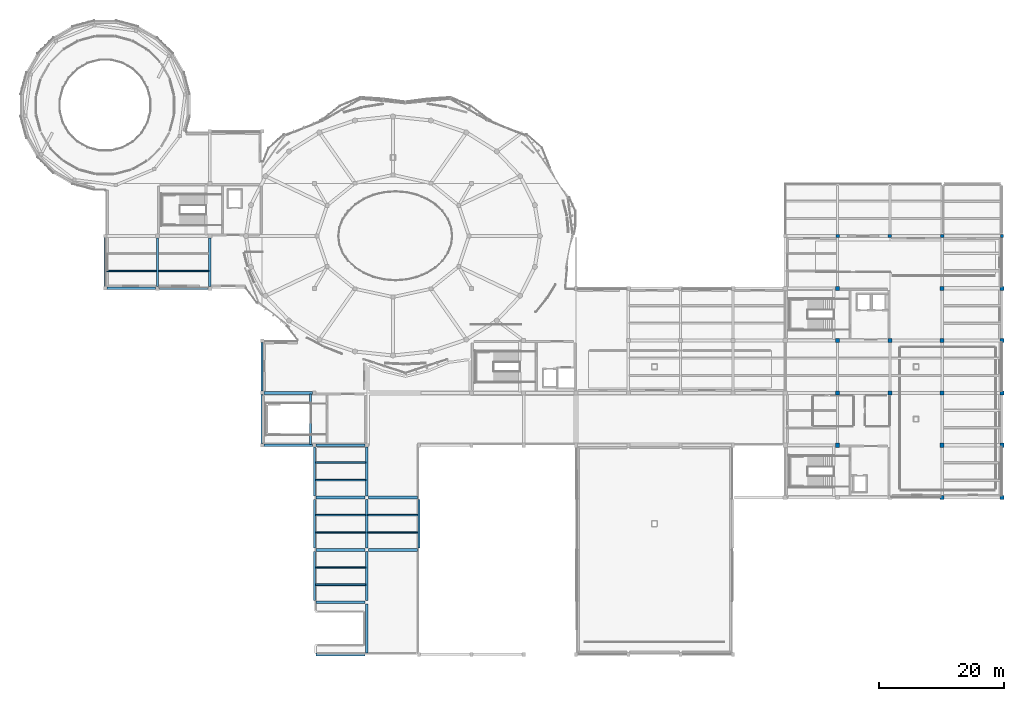
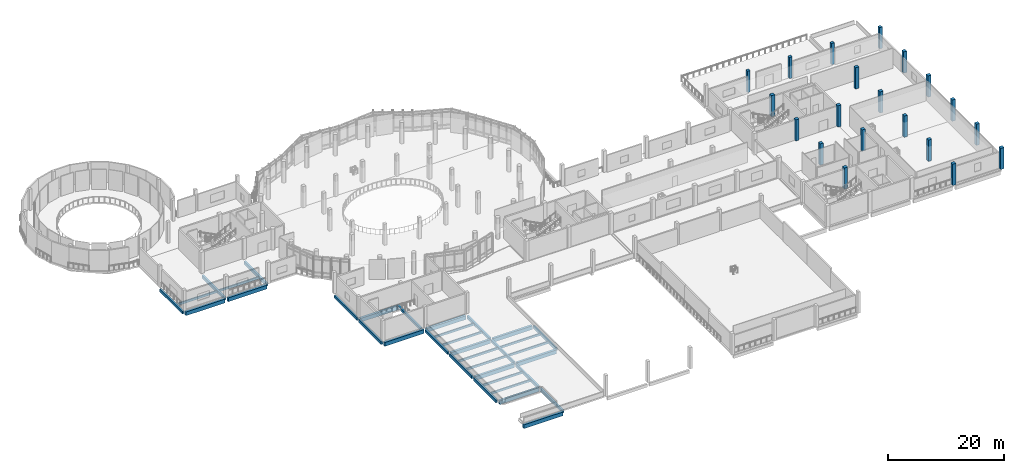
# One storey, part 2 of 46: 35 beams, 20 columns.
"""IFC4 building model written with IfcOpenShell, lengths in metres."""

from ifc_helpers import new_model, si_unit, derived_unit, direction, frame, origin, origin_2d, place, context, subcontext, project, spatial, rectangle, extrude, material, material_profile, profile_set, type_object, element, save


model = new_model("IFC4")

# Units and contexts
model_context = context("Model", 3, precision=1e-05, world=origin(), true_north=direction((0.0, 1.0)))
body_context = subcontext(model_context, "Body", "Model", "MODEL_VIEW")
ifc_project = project(units=[si_unit("LENGTHUNIT", "METRE"), si_unit("AREAUNIT", "SQUARE_METRE"), si_unit("VOLUMEUNIT", "CUBIC_METRE"), si_unit("PLANEANGLEUNIT", "RADIAN"), si_unit("MASSUNIT", "GRAM", prefix="KILO"), derived_unit("THERMALTRANSMITTANCEUNIT", [(si_unit("POWERUNIT", "WATT"), 1), (si_unit("LENGTHUNIT", "METRE"), -2), (si_unit("THERMODYNAMICTEMPERATUREUNIT", "KELVIN"), -1)])], contexts=[model_context])

# Site, building, storey
site_placement = place(None, origin())
site = spatial("IfcSite", under=ifc_project, at=site_placement, CompositionType="ELEMENT")
building_placement = place(site_placement, origin())
building = spatial("IfcBuilding", under=site, at=building_placement, Name="Elbkamm Science Centre", CompositionType="ELEMENT")
storey_placement = place(building_placement, frame((0.0, 0.0, 9.89990234375)))
storey = spatial("IfcBuildingStorey", under=building, at=storey_placement, Name="L02", CompositionType="ELEMENT", Elevation=9.89990234375)

# Columns
ifc_material = material(Name="Concrete C40/50", Category="concrete")
ifc_material_profile_1 = material_profile(ifc_material, rectangle(XDim=0.550048828125, YDim=0.550048828125, at=origin_2d()), Name="RC 550x550")
ifc_profile_set_1 = profile_set([ifc_material_profile_1], Name="Concrete C40/50")
column_type_1 = type_object("IfcColumnType", Name="COL-RC-550", PredefinedType="COLUMN", material=ifc_profile_set_1)
for number, where, z_axis, x_axis, name in (
    (1, (134.39990234375, 67.199951171875, 0.0), (0.0, 0.0, 1.0), (1.0, 0.0, 0.0), "L02 Column GRID-17-J"),
    (2, (142.800048828125, 67.199951171875, 0.0), (0.0, 0.0, 1.0), (1.0, 0.0, 0.0), "L02 Column GRID-18-J"),
    (3, (151.199951171875, 67.199951171875, 0.0), (0.0, 0.0, 1.0), (1.0, 0.0, 0.0), "L02 Column GRID-19-J"),
    (4, (160.800048828125, 67.199951171875, 0.0), (0.0, 0.0, 1.0), (1.0, 0.0, 0.0), "L02 Column GRID-20-J"),
):
    element("IfcColumn", number, at=place(storey_placement, frame(where, z_axis=z_axis, x_axis=x_axis)), inside=storey, type_object=column_type_1, Name=name, PredefinedType="COLUMN", context=body_context, shape_type="SweptSolid", body=[
        extrude(rectangle(XDim=0.550048828125, YDim=0.550048828125, at=origin_2d()), origin(), (0.0, 0.0, 1.0), 4.5),
    ])
ifc_material_profile_2 = material_profile(ifc_material, rectangle(XDim=0.64990234375, YDim=0.64990234375, at=origin_2d()), Name="RC 650x650")
ifc_profile_set_2 = profile_set([ifc_material_profile_2], Name="Concrete C40/50")
column_type_2 = type_object("IfcColumnType", Name="COL-RC-650", PredefinedType="COLUMN", material=ifc_profile_set_2)
for number, where, z_axis, x_axis, name in (
    (5, (134.39990234375, 33.60009765625, 0.0), (0.0, 0.0, 1.0), (1.0, 0.0, 0.0), "L02 Column GRID-17-E"),
    (6, (134.39990234375, 42.0, 0.0), (0.0, 0.0, 1.0), (1.0, 0.0, 0.0), "L02 Column GRID-17-F"),
    (7, (134.39990234375, 50.39990234375, 0.0), (0.0, 0.0, 1.0), (1.0, 0.0, 0.0), "L02 Column GRID-17-G"),
    (8, (134.39990234375, 58.800048828125, 0.0), (0.0, 0.0, 1.0), (1.0, 0.0, 0.0), "L02 Column GRID-17-H"),
    (9, (142.800048828125, 42.0, 0.0), (0.0, 0.0, 1.0), (1.0, 0.0, 0.0), "L02 Column GRID-18-F"),
    (10, (142.800048828125, 50.39990234375, 0.0), (0.0, 0.0, 1.0), (1.0, 0.0, 0.0), "L02 Column GRID-18-G"),
    (11, (151.199951171875, 25.199951171875, 0.0), (0.0, 0.0, 1.0), (1.0, 0.0, 0.0), "L02 Column GRID-19-D"),
    (12, (151.199951171875, 33.60009765625, 0.0), (0.0, 0.0, 1.0), (1.0, 0.0, 0.0), "L02 Column GRID-19-E"),
    (13, (151.199951171875, 42.0, 0.0), (0.0, 0.0, 1.0), (1.0, 0.0, 0.0), "L02 Column GRID-19-F"),
    (14, (151.199951171875, 50.39990234375, 0.0), (0.0, 0.0, 1.0), (1.0, 0.0, 0.0), "L02 Column GRID-19-G"),
    (15, (151.199951171875, 58.800048828125, 0.0), (0.0, 0.0, 1.0), (1.0, 0.0, 0.0), "L02 Column GRID-19-H"),
    (16, (160.800048828125, 25.199951171875, 0.0), (0.0, 0.0, 1.0), (1.0, 0.0, 0.0), "L02 Column GRID-20-D"),
    (17, (160.800048828125, 33.60009765625, 0.0), (0.0, 0.0, 1.0), (1.0, 0.0, 0.0), "L02 Column GRID-20-E"),
    (18, (160.800048828125, 42.0, 0.0), (0.0, 0.0, 1.0), (1.0, 0.0, 0.0), "L02 Column GRID-20-F"),
    (19, (160.800048828125, 50.39990234375, 0.0), (0.0, 0.0, 1.0), (1.0, 0.0, 0.0), "L02 Column GRID-20-G"),
    (20, (160.800048828125, 58.800048828125, 0.0), (0.0, 0.0, 1.0), (1.0, 0.0, 0.0), "L02 Column GRID-20-H"),
):
    element("IfcColumn", number, at=place(storey_placement, frame(where, z_axis=z_axis, x_axis=x_axis)), inside=storey, type_object=column_type_2, Name=name, PredefinedType="COLUMN", context=body_context, shape_type="SweptSolid", body=[
        extrude(rectangle(XDim=0.64990234375, YDim=0.64990234375, at=origin_2d()), origin(), (0.0, 0.0, 1.0), 4.5),
    ])

# Beams
ifc_material_profile_3 = material_profile(ifc_material, rectangle(XDim=0.35009765625, YDim=0.60009765625, at=origin_2d()), Name="RC 350x600")
ifc_profile_set_3 = profile_set([ifc_material_profile_3], Name="Concrete C40/50")
beam_type_1 = type_object("IfcBeamType", Name="BM-RC-350x600", PredefinedType="BEAM", material=ifc_profile_set_3)
beam_1_placement = place(storey_placement, frame((16.800048828125, 59.074951171875, -0.599853515625), z_axis=(0.0, 1.0, 0.0), x_axis=(-1.0, 0.0, 0.0)))
element("IfcBeam", 21, at=beam_1_placement, inside=storey, type_object=beam_type_1, Name="L02 Primary Y-Girder 001", PredefinedType="BEAM", context=body_context, shape_type="SweptSolid", body=[
    extrude(rectangle(XDim=0.35009765625, YDim=0.60009765625, at=origin_2d()), origin(), (0.0, 0.0, 1.0), 7.85009765625),
])
for number, where, z_axis, x_axis, name in (
    (22, (25.199951171875, 59.125, -0.599853515625), (0.0, 1.0, 0.0), (-1.0, 0.0, 0.0), "L02 Primary Y-Girder 002"),
    (23, (33.60009765625, 59.125, -0.599853515625), (0.0, 1.0, 0.0), (-1.0, 0.0, 0.0), "L02 Primary Y-Girder 003"),
):
    element("IfcBeam", number, at=place(storey_placement, frame(where, z_axis=z_axis, x_axis=x_axis)), inside=storey, type_object=beam_type_1, Name=name, PredefinedType="BEAM", context=body_context, shape_type="SweptSolid", body=[
        extrude(rectangle(XDim=0.35009765625, YDim=0.60009765625, at=origin_2d()), origin(), (0.0, 0.0, 1.0), 7.75),
    ])
for number, where, z_axis, x_axis, name in (
    (24, (42.0, 33.875, -0.599853515625), (0.0, 1.0, 0.0), (-1.0, 0.0, 0.0), "L02 Primary Y-Girder 005"),
    (25, (42.0, 42.27490234375, -0.599853515625), (0.0, 1.0, 0.0), (-1.0, 0.0, 0.0), "L02 Primary Y-Girder 006"),
):
    element("IfcBeam", number, at=place(storey_placement, frame(where, z_axis=z_axis, x_axis=x_axis)), inside=storey, type_object=beam_type_1, Name=name, PredefinedType="BEAM", context=body_context, shape_type="SweptSolid", body=[
        extrude(rectangle(XDim=0.35009765625, YDim=0.60009765625, at=origin_2d()), origin(), (0.0, 0.0, 1.0), 7.85009765625),
    ])
beam_2_placement = place(storey_placement, frame((50.39990234375, 8.675048828125, -0.56982421875), z_axis=(0.0, 1.0, 0.0), x_axis=(-1.0, 0.0, 0.0)))
element("IfcBeam", 26, at=beam_2_placement, inside=storey, type_object=beam_type_1, Name="L02 Step-Back Primary Y-Girder 001", PredefinedType="BEAM", context=body_context, shape_type="SweptSolid", body=[
    extrude(rectangle(XDim=0.35009765625, YDim=0.60009765625, at=origin_2d()), origin(), (0.0, 0.0, 1.0), 7.849853515625),
])
beam_3_placement = place(storey_placement, frame((50.39990234375, 17.074951171875, -0.56982421875), z_axis=(0.0, 1.0, 0.0), x_axis=(-1.0, 0.0, 0.0)))
element("IfcBeam", 27, at=beam_3_placement, inside=storey, type_object=beam_type_1, Name="L02 Step-Back Primary Y-Girder 002", PredefinedType="BEAM", context=body_context, shape_type="SweptSolid", body=[
    extrude(rectangle(XDim=0.35009765625, YDim=0.60009765625, at=origin_2d()), origin(), (0.0, 0.0, 1.0), 7.85009765625),
])
beam_4_placement = place(storey_placement, frame((50.39990234375, 25.47509765625, -0.56982421875), z_axis=(0.0, 1.0, 0.0), x_axis=(-1.0, 0.0, 0.0)))
element("IfcBeam", 28, at=beam_4_placement, inside=storey, type_object=beam_type_1, Name="L02 Step-Back Primary Y-Girder 003", PredefinedType="BEAM", context=body_context, shape_type="SweptSolid", body=[
    extrude(rectangle(XDim=0.35009765625, YDim=0.60009765625, at=origin_2d()), origin(), (0.0, 0.0, 1.0), 7.849853515625),
])
beam_5_placement = place(storey_placement, frame((58.800048828125, 0.27490234375, -0.56982421875), z_axis=(0.0, 1.0, 0.0), x_axis=(-1.0, 0.0, 0.0)))
element("IfcBeam", 29, at=beam_5_placement, inside=storey, type_object=beam_type_1, Name="L02 Step-Back Primary Y-Girder 004", PredefinedType="BEAM", context=body_context, shape_type="SweptSolid", body=[
    extrude(rectangle(XDim=0.35009765625, YDim=0.60009765625, at=origin_2d()), origin(), (0.0, 0.0, 1.0), 7.85009765625),
])
beam_6_placement = place(storey_placement, frame((58.800048828125, 8.675048828125, -0.56982421875), z_axis=(0.0, 1.0, 0.0), x_axis=(-1.0, 0.0, 0.0)))
element("IfcBeam", 30, at=beam_6_placement, inside=storey, type_object=beam_type_1, Name="L02 Step-Back Primary Y-Girder 005", PredefinedType="BEAM", context=body_context, shape_type="SweptSolid", body=[
    extrude(rectangle(XDim=0.35009765625, YDim=0.60009765625, at=origin_2d()), origin(), (0.0, 0.0, 1.0), 7.849853515625),
])
beam_7_placement = place(storey_placement, frame((58.800048828125, 17.074951171875, -0.56982421875), z_axis=(0.0, 1.0, 0.0), x_axis=(-1.0, 0.0, 0.0)))
element("IfcBeam", 31, at=beam_7_placement, inside=storey, type_object=beam_type_1, Name="L02 Step-Back Primary Y-Girder 006", PredefinedType="BEAM", context=body_context, shape_type="SweptSolid", body=[
    extrude(rectangle(XDim=0.35009765625, YDim=0.60009765625, at=origin_2d()), origin(), (0.0, 0.0, 1.0), 7.85009765625),
])
beam_8_placement = place(storey_placement, frame((58.800048828125, 25.47509765625, -0.56982421875), z_axis=(0.0, 1.0, 0.0), x_axis=(-1.0, 0.0, 0.0)))
element("IfcBeam", 32, at=beam_8_placement, inside=storey, type_object=beam_type_1, Name="L02 Step-Back Primary Y-Girder 007", PredefinedType="BEAM", context=body_context, shape_type="SweptSolid", body=[
    extrude(rectangle(XDim=0.35009765625, YDim=0.60009765625, at=origin_2d()), origin(), (0.0, 0.0, 1.0), 7.849853515625),
])
beam_9_placement = place(storey_placement, frame((67.199951171875, 17.074951171875, -0.56982421875), z_axis=(0.0, 1.0, 0.0), x_axis=(-1.0, 0.0, 0.0)))
element("IfcBeam", 33, at=beam_9_placement, inside=storey, type_object=beam_type_1, Name="L02 Step-Back Primary Y-Girder 008", PredefinedType="BEAM", context=body_context, shape_type="SweptSolid", body=[
    extrude(rectangle(XDim=0.35009765625, YDim=0.60009765625, at=origin_2d()), origin(), (0.0, 0.0, 1.0), 7.85009765625),
])
beam_10_placement = place(storey_placement, frame((49.780029296875, 33.75, -0.2998046875), z_axis=(0.0, 1.0, 0.0), x_axis=(-1.0, 0.0, 0.0)))
element("IfcBeam", 34, at=beam_10_placement, inside=storey, type_object=beam_type_1, Name="L02 ST-C5 Landing Trimmer Beam", PredefinedType="BEAM", context=body_context, shape_type="SweptSolid", body=[
    extrude(rectangle(XDim=0.35009765625, YDim=0.60009765625, at=origin_2d()), origin(), (0.0, 0.0, 1.0), 8.10009765625),
])
ifc_material_profile_4 = material_profile(ifc_material, rectangle(XDim=0.449951171875, YDim=0.800048828125, at=origin_2d()), Name="RC 450x800")
ifc_profile_set_4 = profile_set([ifc_material_profile_4], Name="Concrete C40/50")
beam_type_2 = type_object("IfcBeamType", Name="BM-RC-450x800", PredefinedType="BEAM", material=ifc_profile_set_4)
beam_11_placement = place(storey_placement, frame((42.27490234375, 33.60009765625, -0.699951171875), z_axis=(1.0, 0.0, 0.0), x_axis=(0.0, 1.0, 0.0)))
element("IfcBeam", 35, at=beam_11_placement, inside=storey, type_object=beam_type_2, Name="L02 Primary X-Girder 006", PredefinedType="BEAM", context=body_context, shape_type="SweptSolid", body=[
    extrude(rectangle(XDim=0.449951171875, YDim=0.800048828125, at=origin_2d()), origin(), (0.0, 0.0, 1.0), 7.85009765625),
])
beam_12_placement = place(storey_placement, frame((50.675048828125, 33.60009765625, -0.699951171875), z_axis=(1.0, 0.0, 0.0), x_axis=(0.0, 1.0, 0.0)))
element("IfcBeam", 36, at=beam_12_placement, inside=storey, type_object=beam_type_2, Name="L02 Primary X-Girder 007", PredefinedType="BEAM", context=body_context, shape_type="SweptSolid", body=[
    extrude(rectangle(XDim=0.449951171875, YDim=0.800048828125, at=origin_2d()), origin(), (0.0, 0.0, 1.0), 7.849853515625),
])
beam_13_placement = place(storey_placement, frame((42.27490234375, 42.0, -0.699951171875), z_axis=(1.0, 0.0, 0.0), x_axis=(0.0, 1.0, 0.0)))
element("IfcBeam", 37, at=beam_13_placement, inside=storey, type_object=beam_type_2, Name="L02 Primary X-Girder 010", PredefinedType="BEAM", context=body_context, shape_type="SweptSolid", body=[
    extrude(rectangle(XDim=0.449951171875, YDim=0.800048828125, at=origin_2d()), origin(), (0.0, 0.0, 1.0), 7.85009765625),
])
beam_14_placement = place(storey_placement, frame((17.074951171875, 58.800048828125, -0.699951171875), z_axis=(1.0, 0.0, 0.0), x_axis=(0.0, 1.0, 0.0)))
element("IfcBeam", 38, at=beam_14_placement, inside=storey, type_object=beam_type_2, Name="L02 Primary X-Girder 028", PredefinedType="BEAM", context=body_context, shape_type="SweptSolid", body=[
    extrude(rectangle(XDim=0.449951171875, YDim=0.800048828125, at=origin_2d()), origin(), (0.0, 0.0, 1.0), 7.800048828125),
])
beam_15_placement = place(storey_placement, frame((25.52490234375, 58.800048828125, -0.699951171875), z_axis=(1.0, 0.0, 0.0), x_axis=(0.0, 1.0, 0.0)))
element("IfcBeam", 39, at=beam_15_placement, inside=storey, type_object=beam_type_2, Name="L02 Primary X-Girder 029", PredefinedType="BEAM", context=body_context, shape_type="SweptSolid", body=[
    extrude(rectangle(XDim=0.449951171875, YDim=0.800048828125, at=origin_2d()), origin(), (0.0, 0.0, 1.0), 7.75),
])
for number, where, z_axis, x_axis, name in (
    (40, (50.675048828125, 0.0, -0.669921875), (1.0, 0.0, 0.0), (0.0, 1.0, 0.0), "L02 Step-Back Primary X-Girder 001"),
    (41, (50.675048828125, 8.39990234375, -0.669921875), (1.0, 0.0, 0.0), (0.0, 1.0, 0.0), "L02 Step-Back Primary X-Girder 002"),
    (42, (50.675048828125, 16.800048828125, -0.669921875), (1.0, 0.0, 0.0), (0.0, 1.0, 0.0), "L02 Step-Back Primary X-Girder 003"),
):
    element("IfcBeam", number, at=place(storey_placement, frame(where, z_axis=z_axis, x_axis=x_axis)), inside=storey, type_object=beam_type_2, Name=name, PredefinedType="BEAM", context=body_context, shape_type="SweptSolid", body=[
        extrude(rectangle(XDim=0.449951171875, YDim=0.800048828125, at=origin_2d()), origin(), (0.0, 0.0, 1.0), 7.849853515625),
    ])
beam_16_placement = place(storey_placement, frame((59.074951171875, 16.800048828125, -0.669921875), z_axis=(1.0, 0.0, 0.0), x_axis=(0.0, 1.0, 0.0)))
element("IfcBeam", 43, at=beam_16_placement, inside=storey, type_object=beam_type_2, Name="L02 Step-Back Primary X-Girder 004", PredefinedType="BEAM", context=body_context, shape_type="SweptSolid", body=[
    extrude(rectangle(XDim=0.449951171875, YDim=0.800048828125, at=origin_2d()), origin(), (0.0, 0.0, 1.0), 7.85009765625),
])
beam_17_placement = place(storey_placement, frame((50.675048828125, 25.199951171875, -0.669921875), z_axis=(1.0, 0.0, 0.0), x_axis=(0.0, 1.0, 0.0)))
element("IfcBeam", 44, at=beam_17_placement, inside=storey, type_object=beam_type_2, Name="L02 Step-Back Primary X-Girder 005", PredefinedType="BEAM", context=body_context, shape_type="SweptSolid", body=[
    extrude(rectangle(XDim=0.449951171875, YDim=0.800048828125, at=origin_2d()), origin(), (0.0, 0.0, 1.0), 7.849853515625),
])
beam_18_placement = place(storey_placement, frame((59.074951171875, 25.199951171875, -0.669921875), z_axis=(1.0, 0.0, 0.0), x_axis=(0.0, 1.0, 0.0)))
element("IfcBeam", 45, at=beam_18_placement, inside=storey, type_object=beam_type_2, Name="L02 Step-Back Primary X-Girder 006", PredefinedType="BEAM", context=body_context, shape_type="SweptSolid", body=[
    extrude(rectangle(XDim=0.449951171875, YDim=0.800048828125, at=origin_2d()), origin(), (0.0, 0.0, 1.0), 7.85009765625),
])
ifc_material_profile_5 = material_profile(ifc_material, rectangle(XDim=0.25, YDim=0.449951171875, at=origin_2d()), Name="RC 250x450")
ifc_profile_set_5 = profile_set([ifc_material_profile_5], Name="Concrete C40/50")
beam_type_3 = type_object("IfcBeamType", Name="JST-RC-250x450", PredefinedType="JOIST", material=ifc_profile_set_5)
for number, where, z_axis, x_axis, name in (
    (46, (16.97998046875, 61.60009765625, -0.52490234375), (1.0, 0.0, 0.0), (0.0, 1.0, 0.0), "L02 Secondary Floor Joist 001"),
    (47, (25.3798828125, 61.60009765625, -0.52490234375), (1.0, 0.0, 0.0), (0.0, 1.0, 0.0), "L02 Secondary Floor Joist 003"),
    (48, (50.580078125, 11.199951171875, -0.494873046875), (1.0, 0.0, 0.0), (0.0, 1.0, 0.0), "L02 Step-Back Secondary Floor Joist 001"),
    (49, (50.580078125, 14.0, -0.494873046875), (1.0, 0.0, 0.0), (0.0, 1.0, 0.0), "L02 Step-Back Secondary Floor Joist 002"),
    (50, (50.580078125, 19.60009765625, -0.494873046875), (1.0, 0.0, 0.0), (0.0, 1.0, 0.0), "L02 Step-Back Secondary Floor Joist 003"),
    (51, (50.580078125, 22.39990234375, -0.494873046875), (1.0, 0.0, 0.0), (0.0, 1.0, 0.0), "L02 Step-Back Secondary Floor Joist 004"),
    (52, (50.580078125, 28.0, -0.494873046875), (1.0, 0.0, 0.0), (0.0, 1.0, 0.0), "L02 Step-Back Secondary Floor Joist 005"),
    (53, (50.580078125, 30.800048828125, -0.494873046875), (1.0, 0.0, 0.0), (0.0, 1.0, 0.0), "L02 Step-Back Secondary Floor Joist 006"),
    (54, (58.97998046875, 19.60009765625, -0.494873046875), (1.0, 0.0, 0.0), (0.0, 1.0, 0.0), "L02 Step-Back Secondary Floor Joist 007"),
    (55, (58.97998046875, 22.39990234375, -0.494873046875), (1.0, 0.0, 0.0), (0.0, 1.0, 0.0), "L02 Step-Back Secondary Floor Joist 008"),
):
    element("IfcBeam", number, at=place(storey_placement, frame(where, z_axis=z_axis, x_axis=x_axis)), inside=storey, type_object=beam_type_3, Name=name, PredefinedType="JOIST", context=body_context, shape_type="SweptSolid", body=[
        extrude(rectangle(XDim=0.25, YDim=0.449951171875, at=origin_2d()), origin(), (0.0, 0.0, 1.0), 8.0400390625),
    ])

save(model, "model.ifc")
